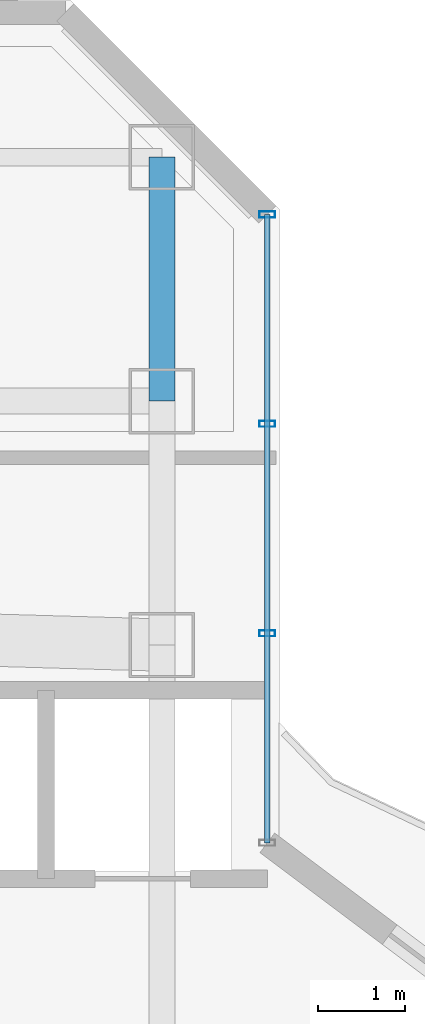
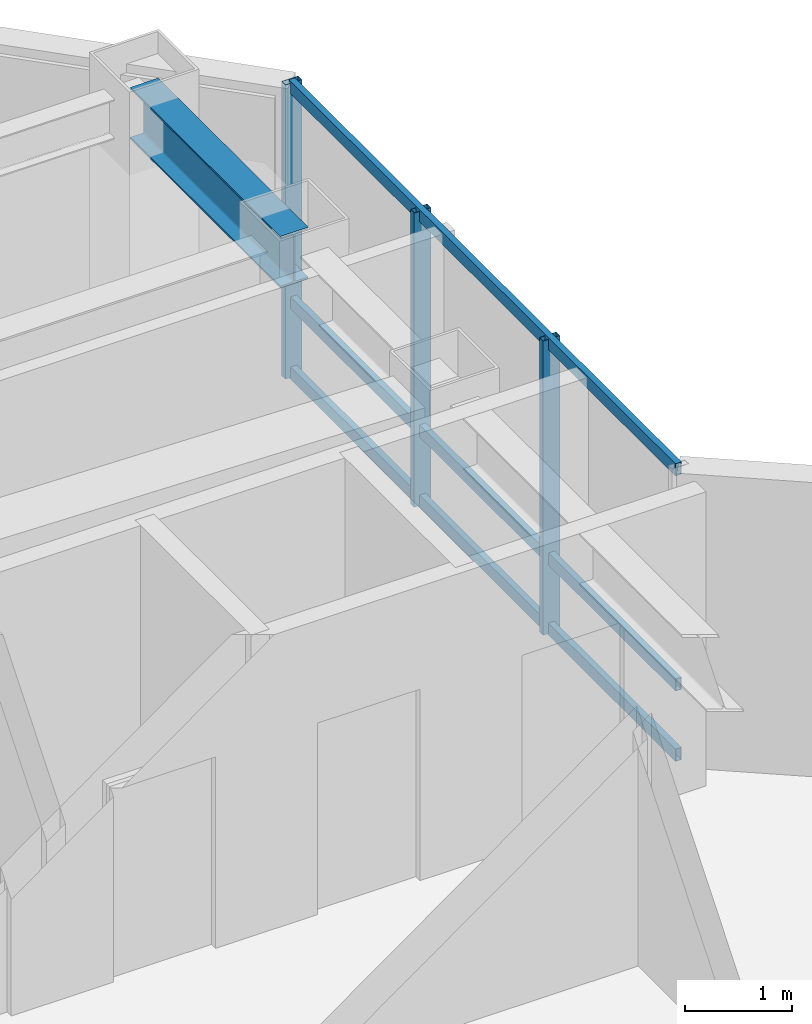
# One storey, part 17 of 24: 6 members, 1 beam, 1 element without a shape of its own.
"""IFC4 building model written with IfcOpenShell, lengths in metres."""

from ifc_helpers import new_model, si_unit, direction, frame, origin, origin_2d, place, context, subcontext, project, spatial, hollow_rectangle, i_section, extrude, material, layer, layer_set, material_profile, profile_set, type_object, element, aggregate, save


model = new_model("IFC4")

# Units and contexts
model_context = context("Model", 3, precision=1e-05, world=origin(), true_north=direction((0.0, 1.0)))
body_context = subcontext(model_context, "Body", "Model", "MODEL_VIEW")
ifc_project = project(units=[si_unit("LENGTHUNIT", "METRE"), si_unit("AREAUNIT", "SQUARE_METRE"), si_unit("VOLUMEUNIT", "CUBIC_METRE"), si_unit("PLANEANGLEUNIT", "RADIAN"), si_unit("MASSUNIT", "GRAM", prefix="KILO")], contexts=[model_context])

# Site, building, storey
site_placement = place(None, origin())
site = spatial("IfcSite", under=ifc_project, at=site_placement, CompositionType="ELEMENT")
building_placement = place(site_placement, origin())
building = spatial("IfcBuilding", under=site, at=building_placement, Name="Hatsunagi Terrace Concourse", CompositionType="ELEMENT")
storey_placement = place(building_placement, frame((0.0, 0.0, 191.550048828125)))
storey = spatial("IfcBuildingStorey", under=building, at=storey_placement, Name="L50", CompositionType="ELEMENT", Elevation=191.550048828125)

# Curtain wall, members
ifc_material_1 = material(Name="Anodised Aluminium Alloy 6063-T5", Category="aluminium")
ifc_layer = layer(ifc_material_1, 0.199951171875)
ifc_layer_set = layer_set([ifc_layer], Name="OfficeZone2_CW04")
curtain_wall_type = type_object("IfcCurtainWallType", Name="OfficeZone2_CW04", PredefinedType="NOTDEFINED", material=ifc_layer_set)
curtain_wall_placement = place(storey_placement, origin())
curtain_wall = element("IfcCurtainWall", 1, at=curtain_wall_placement, inside=storey, type_object=curtain_wall_type, Name="Unitised Curtain Wall CW-04 CW-L50-12", PredefinedType="NOTDEFINED")
ifc_material_2 = material(Name="Anodised Aluminium Alloy 6063-T5", Category="aluminium")
ifc_material_profile_1 = material_profile(ifc_material_2, hollow_rectangle(XDim=0.070068359375, YDim=0.179931640625, WallThickness=0.00390625, at=origin_2d()), Name="ALU-MUL-180x70x4")
ifc_profile_set_1 = profile_set([ifc_material_profile_1], Name="Anodised Aluminium Alloy 6063-T5")
member_type_1 = type_object("IfcMemberType", Name="CurtainWallMullion_180x70", PredefinedType="MULLION", material=ifc_profile_set_1)
member_1_placement = place(storey_placement, frame((44.860107421875, 47.94189453125, 0.0), z_axis=(0.0, 0.0, 1.0), x_axis=(0.0, -1.0, 0.0)))
member_1 = element("IfcMember", 2, at=member_1_placement, type_object=member_type_1, Name="Curtain Wall Mullion MUL-02", PredefinedType="MULLION", context=body_context, shape_type="SweptSolid", body=[
    extrude(hollow_rectangle(XDim=0.070068359375, YDim=0.179931640625, WallThickness=0.00390625, at=origin_2d()), origin(), (0.0, 0.0, 1.0), 3.349853515625),
])
member_2_placement = place(storey_placement, frame((44.860107421875, 45.5380859375, 0.0), z_axis=(0.0, 0.0, 1.0), x_axis=(0.0, -1.0, 0.0)))
member_2 = element("IfcMember", 3, at=member_2_placement, type_object=member_type_1, Name="Curtain Wall Mullion MUL-02", PredefinedType="MULLION", context=body_context, shape_type="SweptSolid", body=[
    extrude(hollow_rectangle(XDim=0.070068359375, YDim=0.179931640625, WallThickness=0.00390625, at=origin_2d()), origin(), (0.0, 0.0, 1.0), 3.349853515625),
])
member_3_placement = place(storey_placement, frame((44.860107421875, 43.134033203125, 0.0), z_axis=(0.0, 0.0, 1.0), x_axis=(0.0, -1.0, 0.0)))
member_3 = element("IfcMember", 4, at=member_3_placement, type_object=member_type_1, Name="Curtain Wall Mullion MUL-02", PredefinedType="MULLION", context=body_context, shape_type="SweptSolid", body=[
    extrude(hollow_rectangle(XDim=0.070068359375, YDim=0.179931640625, WallThickness=0.00390625, at=origin_2d()), origin(), (0.0, 0.0, 1.0), 3.349853515625),
])
ifc_material_3 = material(Name="Anodised Aluminium Alloy 6063-T5", Category="aluminium")
ifc_material_profile_2 = material_profile(ifc_material_3, hollow_rectangle(XDim=0.06494140625, YDim=0.139892578125, WallThickness=0.00390625, at=origin_2d()), Name="ALU-TRN-140x65x4")
ifc_profile_set_2 = profile_set([ifc_material_profile_2], Name="Anodised Aluminium Alloy 6063-T5")
member_type_2 = type_object("IfcMemberType", Name="CurtainWallTransom_140x65", PredefinedType="USERDEFINED", material=ifc_profile_set_2)
member_4_placement = place(storey_placement, frame((44.860107421875, 47.94189453125, 0.050048828125), z_axis=(0.0, -1.0, 0.0), x_axis=(1.0, 0.0, 0.0)))
member_4 = element("IfcMember", 5, at=member_4_placement, type_object=member_type_2, Name="Curtain Wall Transom TRN-02", ObjectType="TRANSOM", PredefinedType="USERDEFINED", context=body_context, shape_type="SweptSolid", body=[
    extrude(hollow_rectangle(XDim=0.06494140625, YDim=0.139892578125, WallThickness=0.00390625, at=origin_2d()), origin(), (0.0, 0.0, 1.0), 7.2119140625),
])
member_5_placement = place(storey_placement, frame((44.860107421875, 47.94189453125, 0.849853515625), z_axis=(0.0, -1.0, 0.0), x_axis=(1.0, 0.0, 0.0)))
member_5 = element("IfcMember", 6, at=member_5_placement, type_object=member_type_2, Name="Curtain Wall Transom TRN-02", ObjectType="TRANSOM", PredefinedType="USERDEFINED", context=body_context, shape_type="SweptSolid", body=[
    extrude(hollow_rectangle(XDim=0.06494140625, YDim=0.139892578125, WallThickness=0.00390625, at=origin_2d()), origin(), (0.0, 0.0, 1.0), 7.2119140625),
])
member_6_placement = place(storey_placement, frame((44.860107421875, 47.94189453125, 3.300048828125), z_axis=(0.0, -1.0, 0.0), x_axis=(1.0, 0.0, 0.0)))
member_6 = element("IfcMember", 7, at=member_6_placement, type_object=member_type_2, Name="Curtain Wall Transom TRN-02", ObjectType="TRANSOM", PredefinedType="USERDEFINED", context=body_context, shape_type="SweptSolid", body=[
    extrude(hollow_rectangle(XDim=0.06494140625, YDim=0.139892578125, WallThickness=0.00390625, at=origin_2d()), origin(), (0.0, 0.0, 1.0), 7.2119140625),
])
aggregate(curtain_wall, [member_1, member_2, member_3, member_4, member_5, member_6])

# Beam
ifc_material_4 = material(Name="Steel SN490B", Category="steel")
ifc_material_profile_3 = material_profile(ifc_material_4, i_section(OverallWidth=0.300048828125, OverallDepth=0.587890625, WebThickness=0.011962890625, FlangeThickness=0.02001953125, FilletRadius=0.01806640625, at=origin_2d()), Name="H-588x300x12x20")
ifc_profile_set_3 = profile_set([ifc_material_profile_3], Name="Steel SN490B")
beam_type = type_object("IfcBeamType", Name="OfficeHighGirder_H_588x300", PredefinedType="BEAM", material=ifc_profile_set_3)
beam_placement = place(storey_placement, frame((43.64990234375, 45.800048828125, 3.055908203125), z_axis=(0.0, 1.0, 0.0), x_axis=(-1.0, 0.0, 0.0)))
element("IfcBeam", 8, at=beam_placement, inside=storey, type_object=beam_type, Name="Beam G-06 BM-L50-KN-WN6", PredefinedType="BEAM", context=body_context, shape_type="SweptSolid", body=[
    extrude(i_section(OverallWidth=0.300048828125, OverallDepth=0.587890625, WebThickness=0.011962890625, FlangeThickness=0.02001953125, FilletRadius=0.01806640625, at=origin_2d()), origin(), (0.0, 0.0, 1.0), 2.800048828125),
])

save(model, "model.ifc")
